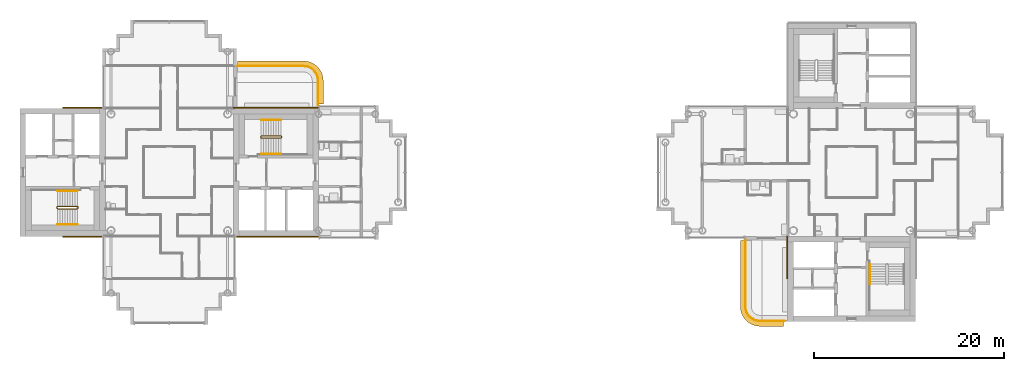
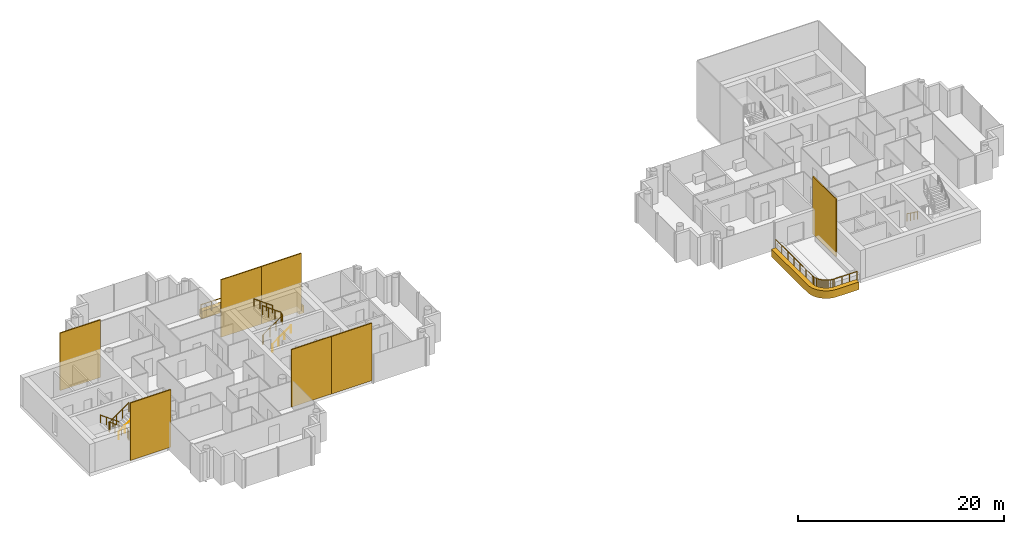
# One storey, part 16 of 18: 9 coverings, 9 railings.
"""IFC4 building model written with IfcOpenShell, lengths in metres."""

import ifcopenshell
import ifcopenshell.guid

model = None  # the IFC model being written
_history = None  # IfcOwnerHistory: only IFC2X3 demands one
_inside = {}  # id of a spatial element -> (the spatial element, [elements in it])
_under = {}  # id of a project, library or spatial element -> (it, [spatial elements below it])
_declared = {}  # id of a project -> (the project, [libraries it declares])
_typed = {}  # id of a type object -> (the type object, [elements of that type])
_made_of = {}  # id of a material, layer set ... -> (it, [elements and type objects made of it])


def new_model(schema):
    """Start an empty IFC model of exactly this schema.

    Asked for "IFC4X3", IfcOpenShell would pick the latest addendum, in which some entities
    have other attributes; the version numbers below select the first issue.
    IFC2X3 requires an IfcOwnerHistory on every rooted entity: one is made here for all.
    """
    global model, _history
    if schema == "IFC4X3":
        model = ifcopenshell.file(schema_version=(4, 3, 0, 0))
    else:
        model = ifcopenshell.file(schema=schema)
    _inside.clear()
    _under.clear()
    _declared.clear()
    _typed.clear()
    _made_of.clear()
    _history = None
    if model.schema == "IFC2X3":
        org = make("IfcOrganization", Name="unknown")
        user = make(
            "IfcPersonAndOrganization",
            ThePerson=make("IfcPerson", FamilyName="unknown"),
            TheOrganization=org,
        )
        app = make(
            "IfcApplication",
            ApplicationDeveloper=org,
            Version="unknown",
            ApplicationFullName="unknown",
            ApplicationIdentifier="unknown",
        )
        _history = make(
            "IfcOwnerHistory",
            OwningUser=user,
            OwningApplication=app,
            ChangeAction="ADDED",
            CreationDate=0,
        )
    return model


def make(cls, **values):
    """One entity of the class cls with the attributes given. An attribute that is None is left unset."""
    return model.create_entity(
        cls, **{name: value for name, value in values.items() if value is not None}
    )


def rooted(cls, **values):
    """An entity with a GlobalId (a new one), such as an element, a storey or a relation."""
    return make(cls, GlobalId=ifcopenshell.guid.new(), OwnerHistory=_history, **values)


def si_unit(unit_type, name, prefix=None):
    """IfcSIUnit, for example si_unit("LENGTHUNIT", "METRE", prefix="MILLI")."""
    return make("IfcSIUnit", UnitType=unit_type, Prefix=prefix, Name=name)


def assignment(units):
    """IfcUnitAssignment: the units of a project."""
    return None if units is None else make("IfcUnitAssignment", Units=units)


def point(xyz):
    """IfcCartesianPoint."""
    return None if xyz is None else make("IfcCartesianPoint", Coordinates=xyz)


def direction(xyz):
    """IfcDirection."""
    return None if xyz is None else make("IfcDirection", DirectionRatios=xyz)


def frame(location, z_axis=None, x_axis=None):
    """IfcAxis2Placement3D, a coordinate frame: its origin and axes. An axis left out is left unset."""
    return make(
        "IfcAxis2Placement3D",
        Location=point(location),
        Axis=direction(z_axis),
        RefDirection=direction(x_axis),
    )


def frame_2d(location, x_axis=None):
    """IfcAxis2Placement2D, a coordinate frame in the plane: its origin and x axis."""
    return make(
        "IfcAxis2Placement2D", Location=point(location), RefDirection=direction(x_axis)
    )


def origin():
    """The frame at (0, 0, 0) with its axes left unset."""
    return frame((0.0, 0.0, 0.0))


def origin_2d():
    """The frame at (0, 0) in the plane with its x axis left unset."""
    return frame_2d((0.0, 0.0))


def place(relative_to, where):
    """IfcLocalPlacement: puts the frame where relative to a parent placement (None: the world)."""
    return make(
        "IfcLocalPlacement", PlacementRelTo=relative_to, RelativePlacement=where
    )


def context(
    kind, dimensions, precision=None, world=None, true_north=None, identifier=None
):
    """IfcGeometricRepresentationContext, for example the 3D "Model" context."""
    return make(
        "IfcGeometricRepresentationContext",
        ContextIdentifier=identifier,
        ContextType=kind,
        CoordinateSpaceDimension=dimensions,
        Precision=precision,
        WorldCoordinateSystem=world,
        TrueNorth=true_north,
    )


def subcontext(parent, identifier, kind, view, scale=None):
    """IfcGeometricRepresentationSubContext, for example "Body" below "Model"."""
    return make(
        "IfcGeometricRepresentationSubContext",
        ContextIdentifier=identifier,
        ContextType=kind,
        ParentContext=parent,
        TargetScale=scale,
        TargetView=view,
    )


def project(units=None, contexts=None):
    """IfcProject with its units and contexts."""
    return rooted(
        "IfcProject",
        Name="project",
        RepresentationContexts=contexts,
        UnitsInContext=assignment(units),
    )


def spatial(cls, under=None, at=None, **own):
    """A site, building, storey or space (cls), placed at a placement, below another one or the project."""
    s = rooted(cls, ObjectPlacement=at, **own)
    if under is not None:
        _under.setdefault(under.id(), (under, []))[1].append(s)
    return s


def polyline(points):
    """IfcPolyline through the points."""
    return make("IfcPolyline", Points=[point(p) for p in points])


def profile(cls, at=None, kind="AREA", **sizes):
    """A parametric profile (cls). Its sizes go by their IFC names, for example OverallWidth=200.0."""
    return make(cls, ProfileType=kind, Position=at, **sizes)


def rectangle(**sizes):
    """IfcRectangleProfileDef."""
    return profile("IfcRectangleProfileDef", **sizes)


def circle(**sizes):
    """IfcCircleProfileDef."""
    return profile("IfcCircleProfileDef", **sizes)


def outline(outer, holes=None, kind="AREA"):
    """IfcArbitraryClosedProfileDef: a profile drawn as a closed curve; with holes, ...WithVoids."""
    if holes is None:
        return make("IfcArbitraryClosedProfileDef", ProfileType=kind, OuterCurve=outer)
    return make(
        "IfcArbitraryProfileDefWithVoids",
        ProfileType=kind,
        OuterCurve=outer,
        InnerCurves=holes,
    )


def extrude(swept, where, along, depth):
    """IfcExtrudedAreaSolid: the profile swept, set in the frame where, extruded along a direction by depth."""
    return make(
        "IfcExtrudedAreaSolid",
        SweptArea=swept,
        Position=where,
        ExtrudedDirection=direction(along),
        Depth=depth,
    )


def shape(context_of_items, identifier, shape_type, items):
    """IfcShapeRepresentation: the items that make up one representation, for example the "Body"."""
    return make(
        "IfcShapeRepresentation",
        ContextOfItems=context_of_items,
        RepresentationIdentifier=identifier,
        RepresentationType=shape_type,
        Items=items,
    )


def material(Name=None, Category=None):
    """IfcMaterial."""
    return make("IfcMaterial", Name=Name, Category=Category)


def layer(
    of_material, thickness, ventilated=None, Name=None, Category=None, Priority=None
):
    """IfcMaterialLayer: one layer of a wall or slab, of a material (None: an air gap)."""
    return make(
        "IfcMaterialLayer",
        Material=of_material,
        LayerThickness=thickness,
        IsVentilated=ventilated,
        Name=Name,
        Category=Category,
        Priority=Priority,
    )


def layer_set(layers, Name=None):
    """IfcMaterialLayerSet."""
    return make("IfcMaterialLayerSet", MaterialLayers=layers, LayerSetName=Name)


def made_of(thing, what):
    """Note that an element or type object is made of a material, layer set ...; save() writes the relation."""
    if what is not None:
        _made_of.setdefault(what.id(), (what, []))[1].append(thing)
    return thing


def type_object(cls, material=None, **own):
    """A type object (cls), such as IfcWallType, which elements share."""
    return made_of(rooted(cls, **own), material)


def element(
    cls,
    number,
    at=None,
    inside=None,
    cuts=None,
    type_object=None,
    material=None,
    context=None,
    identifier="Body",
    shape_type=None,
    held_by="IfcProductDefinitionShape",
    body=None,
    shapes=None,
    **own,
):
    """One element of the class cls, such as IfcWall. Its Tag is "e" and its number.

    at: its placement. inside: the storey or other place that contains it. cuts: it is an
    opening in that element (IfcRelVoidsElement). A single representation is given by context,
    identifier, shape_type and body (its items); several are given by shapes. held_by: the class
    of the entity that holds the representations. save() writes the other relations.
    """
    e = rooted(cls, Tag="e%d" % number, ObjectPlacement=at, **own)
    if body is not None:
        shapes = [shape(context, identifier, shape_type, body)]
    if shapes is not None:
        e.Representation = make(held_by, Representations=shapes)
    if inside is not None:
        _inside.setdefault(inside.id(), (inside, []))[1].append(e)
    if cuts is not None:
        rooted(
            "IfcRelVoidsElement", RelatingBuildingElement=cuts, RelatedOpeningElement=e
        )
    if type_object is not None:
        _typed.setdefault(type_object.id(), (type_object, []))[1].append(e)
    return made_of(e, material)


def aggregate(whole, parts):
    """IfcRelAggregates: a whole, such as a stair, and the parts it consists of."""
    return rooted("IfcRelAggregates", RelatingObject=whole, RelatedObjects=parts)


def save(model, path):
    """Write the relations noted so far, then the file.

    IfcRelAggregates (storeys below a building ...), IfcRelContainedInSpatialStructure (elements
    in a storey), IfcRelDefinesByType, IfcRelAssociatesMaterial and IfcRelDeclares: one each for
    every whole, place, type object, material and project.
    """
    for whole, parts in _under.values():
        aggregate(whole, parts)
    for where, things in _inside.values():
        rooted(
            "IfcRelContainedInSpatialStructure",
            RelatedElements=things,
            RelatingStructure=where,
        )
    for kind, things in _typed.values():
        rooted("IfcRelDefinesByType", RelatedObjects=things, RelatingType=kind)
    for what, things in _made_of.values():
        rooted("IfcRelAssociatesMaterial", RelatedObjects=things, RelatingMaterial=what)
    for by, libraries in _declared.values():
        rooted("IfcRelDeclares", RelatingContext=by, RelatedDefinitions=libraries)
    model.write(path)


model = new_model("IFC4")

# Units and contexts
model_context = context("Model", 3, precision=1e-05, world=origin(), true_north=direction((0.0, 1.0)))
body_context = subcontext(model_context, "Body", "Model", "MODEL_VIEW")
ifc_project = project(units=[si_unit("LENGTHUNIT", "METRE"), si_unit("AREAUNIT", "SQUARE_METRE"), si_unit("VOLUMEUNIT", "CUBIC_METRE"), si_unit("PLANEANGLEUNIT", "RADIAN"), si_unit("MASSUNIT", "GRAM", prefix="KILO")], contexts=[model_context])

# Site, building, storey
site_placement = place(None, origin())
site = spatial("IfcSite", under=ifc_project, at=site_placement, CompositionType="ELEMENT")
building_placement = place(site_placement, origin())
building = spatial("IfcBuilding", under=site, at=building_placement, Name="Ipe Terrace Towers", CompositionType="ELEMENT")
storey_placement = place(building_placement, frame((0.0, 0.0, 206.199951171875)))
storey = spatial("IfcBuildingStorey", under=building, at=storey_placement, Name="L57", CompositionType="ELEMENT", Elevation=206.199951171875)

# Railings
ifc_material_1 = material(Name="Stainless steel S316", Category="steel")
railing_type_1 = type_object("IfcRailingType", Name="GUARD 1100", PredefinedType="BALUSTRADE", material=ifc_material_1)
railing_1_placement = place(storey_placement, frame((-20.300048828125, 7.070068359375, -0.02001953125)))
element("IfcRailing", 1, at=railing_1_placement, inside=storey, type_object=railing_type_1, Name="guard", PredefinedType="BALUSTRADE", context=body_context, shape_type="SweptSolid", body=[
    extrude(circle(Radius=0.02392578125, at=origin_2d()), frame((0.0, 0.0, 1.076171875), z_axis=(0.0, 1.0, 0.0), x_axis=(-1.0, 0.0, 0.0)), (0.0, 0.0, 1.0), 2.577880859375),
    extrude(circle(Radius=0.02392578125, at=origin_2d()), frame((0.0, 2.577880859375, 1.076171875), z_axis=(-0.063270109204, 0.997996439513, 0.0), x_axis=(-0.997996439513, -0.063270109204, 0.0)), (0.0, 0.0, 1.0), 0.20458984375),
    extrude(circle(Radius=0.02392578125, at=origin_2d()), frame((-0.012939453125, 2.781982421875, 1.076171875), z_axis=(-0.197272615832, 0.980348670139, 0.0), x_axis=(-0.980348670139, -0.197272615832, 0.0)), (0.0, 0.0, 1.0), 0.202880859375),
    extrude(circle(Radius=0.02392578125, at=origin_2d()), frame((-0.052978515625, 2.98095703125, 1.076171875), z_axis=(-0.320562904618, 0.947227229435, 0.0), x_axis=(-0.947227229435, -0.320562904618, 0.0)), (0.0, 0.0, 1.0), 0.20263671875),
    extrude(circle(Radius=0.02392578125, at=origin_2d()), frame((-0.117919921875, 3.1728515625, 1.076171875), z_axis=(-0.443364567466, 0.896341374877, 0.0), x_axis=(-0.896341374877, -0.443364567466, 0.0)), (0.0, 0.0, 1.0), 0.203125),
    extrude(circle(Radius=0.02392578125, at=origin_2d()), frame((-0.2080078125, 3.35498046875, 1.076171875), z_axis=(-0.552753344103, 0.833344910936, 0.0), x_axis=(-0.833344910936, -0.552753344103, 0.0)), (0.0, 0.0, 1.0), 0.20263671875),
    extrude(circle(Radius=0.02392578125, at=origin_2d()), frame((-0.320068359375, 3.52392578125, 1.076171875), z_axis=(-0.660464863827, 0.750856952854, 0.0), x_axis=(-0.750856952854, -0.660464863827, 0.0)), (0.0, 0.0, 1.0), 0.20263671875),
    extrude(circle(Radius=0.02392578125, at=origin_2d()), frame((-0.453857421875, 3.676025390625, 1.076171875), z_axis=(-0.750856952854, 0.660464863827, 0.0), x_axis=(-0.660464863827, -0.750856952854, 0.0)), (0.0, 0.0, 1.0), 0.20263671875),
    extrude(circle(Radius=0.02392578125, at=origin_2d()), frame((-0.60595703125, 3.809814453125, 1.076171875), z_axis=(-0.833344910936, 0.552753344103, 0.0), x_axis=(-0.552753344103, -0.833344910936, 0.0)), (0.0, 0.0, 1.0), 0.20263671875),
    extrude(circle(Radius=0.02392578125, at=origin_2d()), frame((-0.77490234375, 3.921875, 1.076171875), z_axis=(-0.896341374877, 0.443364567466, 0.0), x_axis=(-0.443364567466, -0.896341374877, 0.0)), (0.0, 0.0, 1.0), 0.203125),
    extrude(circle(Radius=0.02392578125, at=origin_2d()), frame((-0.95703125, 4.011962890625, 1.076171875), z_axis=(-0.947227229435, 0.320562904618, 0.0), x_axis=(-0.320562904618, -0.947227229435, 0.0)), (0.0, 0.0, 1.0), 0.20263671875),
    extrude(circle(Radius=0.02392578125, at=origin_2d()), frame((-1.14892578125, 4.076904296875, 1.076171875), z_axis=(-0.980348670139, 0.197272615832, 0.0), x_axis=(-0.197272615832, -0.980348670139, 0.0)), (0.0, 0.0, 1.0), 0.202880859375),
    extrude(circle(Radius=0.02392578125, at=origin_2d()), frame((-1.347900390625, 4.116943359375, 1.076171875), z_axis=(-0.997996439513, 0.063270109204, 0.0), x_axis=(-0.063270109204, -0.997996439513, 0.0)), (0.0, 0.0, 1.0), 0.20458984375),
    extrude(circle(Radius=0.02392578125, at=origin_2d()), frame((-1.552001953125, 4.1298828125, 1.076171875), z_axis=(-1.0, 0.0, 0.0), x_axis=(0.0, -1.0, 0.0)), (0.0, 0.0, 1.0), 7.077880859375),
    extrude(circle(Radius=0.02099609375, at=origin_2d()), origin(), (0.0, 0.0, 1.0), 1.052001953125),
    extrude(circle(Radius=0.02099609375, at=origin_2d()), frame((0.0, 0.859375, 0.0)), (0.0, 0.0, 1.0), 1.052001953125),
    extrude(circle(Radius=0.02099609375, at=origin_2d()), frame((0.0, 1.718505859375, 0.0)), (0.0, 0.0, 1.0), 1.052001953125),
    extrude(circle(Radius=0.02099609375, at=origin_2d()), frame((0.0, 2.577880859375, 0.0)), (0.0, 0.0, 1.0), 1.052001953125),
    extrude(circle(Radius=0.02099609375, at=origin_2d()), frame((-0.012939453125, 2.781982421875, 0.0)), (0.0, 0.0, 1.0), 1.052001953125),
    extrude(circle(Radius=0.02099609375, at=origin_2d()), frame((-0.052978515625, 2.98095703125, 0.0)), (0.0, 0.0, 1.0), 1.052001953125),
    extrude(circle(Radius=0.02099609375, at=origin_2d()), frame((-0.117919921875, 3.1728515625, 0.0)), (0.0, 0.0, 1.0), 1.052001953125),
    extrude(circle(Radius=0.02099609375, at=origin_2d()), frame((-0.2080078125, 3.35498046875, 0.0)), (0.0, 0.0, 1.0), 1.052001953125),
    extrude(circle(Radius=0.02099609375, at=origin_2d()), frame((-0.320068359375, 3.52392578125, 0.0)), (0.0, 0.0, 1.0), 1.052001953125),
    extrude(circle(Radius=0.02099609375, at=origin_2d()), frame((-0.453857421875, 3.676025390625, 0.0)), (0.0, 0.0, 1.0), 1.052001953125),
    extrude(circle(Radius=0.02099609375, at=origin_2d()), frame((-0.60595703125, 3.809814453125, 0.0)), (0.0, 0.0, 1.0), 1.052001953125),
    extrude(circle(Radius=0.02099609375, at=origin_2d()), frame((-0.77490234375, 3.921875, 0.0)), (0.0, 0.0, 1.0), 1.052001953125),
    extrude(circle(Radius=0.02099609375, at=origin_2d()), frame((-0.95703125, 4.011962890625, 0.0)), (0.0, 0.0, 1.0), 1.052001953125),
    extrude(circle(Radius=0.02099609375, at=origin_2d()), frame((-1.14892578125, 4.076904296875, 0.0)), (0.0, 0.0, 1.0), 1.052001953125),
    extrude(circle(Radius=0.02099609375, at=origin_2d()), frame((-1.347900390625, 4.116943359375, 0.0)), (0.0, 0.0, 1.0), 1.052001953125),
    extrude(circle(Radius=0.02099609375, at=origin_2d()), frame((-1.552001953125, 4.1298828125, 0.0)), (0.0, 0.0, 1.0), 1.052001953125),
    extrude(circle(Radius=0.02099609375, at=origin_2d()), frame((-2.731689453125, 4.1298828125, 0.0)), (0.0, 0.0, 1.0), 1.052001953125),
    extrude(circle(Radius=0.02099609375, at=origin_2d()), frame((-3.911376953125, 4.1298828125, 0.0)), (0.0, 0.0, 1.0), 1.052001953125),
    extrude(circle(Radius=0.02099609375, at=origin_2d()), frame((-5.0908203125, 4.1298828125, 0.0)), (0.0, 0.0, 1.0), 1.052001953125),
    extrude(circle(Radius=0.02099609375, at=origin_2d()), frame((-6.2705078125, 4.1298828125, 0.0)), (0.0, 0.0, 1.0), 1.052001953125),
    extrude(circle(Radius=0.02099609375, at=origin_2d()), frame((-7.4501953125, 4.1298828125, 0.0)), (0.0, 0.0, 1.0), 1.052001953125),
    extrude(circle(Radius=0.02099609375, at=origin_2d()), frame((-8.6298828125, 4.1298828125, 0.0)), (0.0, 0.0, 1.0), 1.052001953125),
])
railing_2_placement = place(storey_placement, frame((24.800048828125, -7.070068359375, -0.02001953125)))
element("IfcRailing", 2, at=railing_2_placement, inside=storey, type_object=railing_type_1, Name="guard", PredefinedType="BALUSTRADE", context=body_context, shape_type="SweptSolid", body=[
    extrude(circle(Radius=0.02392578125, at=origin_2d()), frame((0.0, 0.0, 1.076171875), z_axis=(0.0, -1.0, 0.0), x_axis=(1.0, 0.0, 0.0)), (0.0, 0.0, 1.0), 7.077880859375),
    extrude(circle(Radius=0.02392578125, at=origin_2d()), frame((0.0, -7.077880859375, 1.076171875), z_axis=(0.063270109204, -0.997996439513, 0.0), x_axis=(0.997996439513, 0.063270109204, 0.0)), (0.0, 0.0, 1.0), 0.20458984375),
    extrude(circle(Radius=0.02392578125, at=origin_2d()), frame((0.012939453125, -7.281982421875, 1.076171875), z_axis=(0.197272615832, -0.980348670139, 0.0), x_axis=(0.980348670139, 0.197272615832, 0.0)), (0.0, 0.0, 1.0), 0.202880859375),
    extrude(circle(Radius=0.02392578125, at=origin_2d()), frame((0.052978515625, -7.48095703125, 1.076171875), z_axis=(0.320562904618, -0.947227229435, 0.0), x_axis=(0.947227229435, 0.320562904618, 0.0)), (0.0, 0.0, 1.0), 0.20263671875),
    extrude(circle(Radius=0.02392578125, at=origin_2d()), frame((0.117919921875, -7.6728515625, 1.076171875), z_axis=(0.443364567466, -0.896341374877, 0.0), x_axis=(0.896341374877, 0.443364567466, 0.0)), (0.0, 0.0, 1.0), 0.203125),
    extrude(circle(Radius=0.02392578125, at=origin_2d()), frame((0.2080078125, -7.85498046875, 1.076171875), z_axis=(0.552753344103, -0.833344910936, 0.0), x_axis=(0.833344910936, 0.552753344103, 0.0)), (0.0, 0.0, 1.0), 0.20263671875),
    extrude(circle(Radius=0.02392578125, at=origin_2d()), frame((0.320068359375, -8.02392578125, 1.076171875), z_axis=(0.660464863827, -0.750856952854, 0.0), x_axis=(0.750856952854, 0.660464863827, 0.0)), (0.0, 0.0, 1.0), 0.20263671875),
    extrude(circle(Radius=0.02392578125, at=origin_2d()), frame((0.453857421875, -8.176025390625, 1.076171875), z_axis=(0.750856952854, -0.660464863827, 0.0), x_axis=(0.660464863827, 0.750856952854, 0.0)), (0.0, 0.0, 1.0), 0.20263671875),
    extrude(circle(Radius=0.02392578125, at=origin_2d()), frame((0.60595703125, -8.309814453125, 1.076171875), z_axis=(0.833344910936, -0.552753344103, 0.0), x_axis=(0.552753344103, 0.833344910936, 0.0)), (0.0, 0.0, 1.0), 0.20263671875),
    extrude(circle(Radius=0.02392578125, at=origin_2d()), frame((0.77490234375, -8.421875, 1.076171875), z_axis=(0.896341374877, -0.443364567466, 0.0), x_axis=(0.443364567466, 0.896341374877, 0.0)), (0.0, 0.0, 1.0), 0.203125),
    extrude(circle(Radius=0.02392578125, at=origin_2d()), frame((0.95703125, -8.511962890625, 1.076171875), z_axis=(0.947227229435, -0.320562904618, 0.0), x_axis=(0.320562904618, 0.947227229435, 0.0)), (0.0, 0.0, 1.0), 0.20263671875),
    extrude(circle(Radius=0.02392578125, at=origin_2d()), frame((1.14892578125, -8.576904296875, 1.076171875), z_axis=(0.980348670139, -0.197272615832, 0.0), x_axis=(0.197272615832, 0.980348670139, 0.0)), (0.0, 0.0, 1.0), 0.202880859375),
    extrude(circle(Radius=0.02392578125, at=origin_2d()), frame((1.347900390625, -8.616943359375, 1.076171875), z_axis=(0.997996439513, -0.063270109204, 0.0), x_axis=(0.063270109204, 0.997996439513, 0.0)), (0.0, 0.0, 1.0), 0.20458984375),
    extrude(circle(Radius=0.02392578125, at=origin_2d()), frame((1.552001953125, -8.6298828125, 1.076171875), z_axis=(1.0, 0.0, 0.0), x_axis=(0.0, 1.0, 0.0)), (0.0, 0.0, 1.0), 2.577880859375),
    extrude(circle(Radius=0.02099609375, at=origin_2d()), origin(), (0.0, 0.0, 1.0), 1.052001953125),
    extrude(circle(Radius=0.02099609375, at=origin_2d()), frame((0.0, -1.1796875, 0.0)), (0.0, 0.0, 1.0), 1.052001953125),
    extrude(circle(Radius=0.02099609375, at=origin_2d()), frame((0.0, -2.359375, 0.0)), (0.0, 0.0, 1.0), 1.052001953125),
    extrude(circle(Radius=0.02099609375, at=origin_2d()), frame((0.0, -3.5390625, 0.0)), (0.0, 0.0, 1.0), 1.052001953125),
    extrude(circle(Radius=0.02099609375, at=origin_2d()), frame((0.0, -4.718505859375, 0.0)), (0.0, 0.0, 1.0), 1.052001953125),
    extrude(circle(Radius=0.02099609375, at=origin_2d()), frame((0.0, -5.898193359375, 0.0)), (0.0, 0.0, 1.0), 1.052001953125),
    extrude(circle(Radius=0.02099609375, at=origin_2d()), frame((0.0, -7.077880859375, 0.0)), (0.0, 0.0, 1.0), 1.052001953125),
    extrude(circle(Radius=0.02099609375, at=origin_2d()), frame((0.012939453125, -7.281982421875, 0.0)), (0.0, 0.0, 1.0), 1.052001953125),
    extrude(circle(Radius=0.02099609375, at=origin_2d()), frame((0.052978515625, -7.48095703125, 0.0)), (0.0, 0.0, 1.0), 1.052001953125),
    extrude(circle(Radius=0.02099609375, at=origin_2d()), frame((0.117919921875, -7.6728515625, 0.0)), (0.0, 0.0, 1.0), 1.052001953125),
    extrude(circle(Radius=0.02099609375, at=origin_2d()), frame((0.2080078125, -7.85498046875, 0.0)), (0.0, 0.0, 1.0), 1.052001953125),
    extrude(circle(Radius=0.02099609375, at=origin_2d()), frame((0.320068359375, -8.02392578125, 0.0)), (0.0, 0.0, 1.0), 1.052001953125),
    extrude(circle(Radius=0.02099609375, at=origin_2d()), frame((0.453857421875, -8.176025390625, 0.0)), (0.0, 0.0, 1.0), 1.052001953125),
    extrude(circle(Radius=0.02099609375, at=origin_2d()), frame((0.60595703125, -8.309814453125, 0.0)), (0.0, 0.0, 1.0), 1.052001953125),
    extrude(circle(Radius=0.02099609375, at=origin_2d()), frame((0.77490234375, -8.421875, 0.0)), (0.0, 0.0, 1.0), 1.052001953125),
    extrude(circle(Radius=0.02099609375, at=origin_2d()), frame((0.95703125, -8.511962890625, 0.0)), (0.0, 0.0, 1.0), 1.052001953125),
    extrude(circle(Radius=0.02099609375, at=origin_2d()), frame((1.14892578125, -8.576904296875, 0.0)), (0.0, 0.0, 1.0), 1.052001953125),
    extrude(circle(Radius=0.02099609375, at=origin_2d()), frame((1.347900390625, -8.616943359375, 0.0)), (0.0, 0.0, 1.0), 1.052001953125),
    extrude(circle(Radius=0.02099609375, at=origin_2d()), frame((1.552001953125, -8.6298828125, 0.0)), (0.0, 0.0, 1.0), 1.052001953125),
    extrude(circle(Radius=0.02099609375, at=origin_2d()), frame((2.411376953125, -8.6298828125, 0.0)), (0.0, 0.0, 1.0), 1.052001953125),
    extrude(circle(Radius=0.02099609375, at=origin_2d()), frame((3.2705078125, -8.6298828125, 0.0)), (0.0, 0.0, 1.0), 1.052001953125),
    extrude(circle(Radius=0.02099609375, at=origin_2d()), frame((4.1298828125, -8.6298828125, 0.0)), (0.0, 0.0, 1.0), 1.052001953125),
])

# Coverings
ifc_material_2 = material(Name="Concrete C50/60 precast, buff finish", Category="concrete")
ifc_layer_1 = layer(ifc_material_2, 0.1201171875)
ifc_layer_set_1 = layer_set([ifc_layer_1], Name="STONE CORE CLADDING 120")
covering_type_1 = type_object("IfcCoveringType", Name="STONE CORE CLADDING 120", PredefinedType="CLADDING", material=ifc_layer_set_1)
for number, where, z_axis, x_axis, name in (
    (3, (-45.0, -6.81005859375, 0.0), (0.0, 0.0, 1.0), (1.0, 0.0, 0.0), "stone core cladding"),
    (4, (-45.0, 6.81005859375, 0.0), (0.0, 0.0, 1.0), (-1.0, 0.0, 0.0), "stone core cladding"),
    (5, (-27.0, -6.81005859375, 0.0), (0.0, 0.0, 1.0), (1.0, 0.0, 0.0), "stone core cladding"),
):
    element("IfcCovering", number, at=place(storey_placement, frame(where, z_axis=z_axis, x_axis=x_axis)), inside=storey, type_object=covering_type_1, Name=name, PredefinedType="CLADDING", context=body_context, shape_type="SweptSolid", body=[
        extrude(rectangle(XDim=4.5, YDim=0.1201171875, at=origin_2d()), origin(), (0.0, 0.0, 1.0), 6.800048828125),
    ])
covering_1_placement = place(storey_placement, frame((-22.4990234375, -6.81005859375, 0.0), z_axis=(0.0, 0.0, 1.0), x_axis=(1.0, 0.0, 0.0)))
element("IfcCovering", 6, at=covering_1_placement, inside=storey, type_object=covering_type_1, Name="stone core cladding", PredefinedType="CLADDING", context=body_context, shape_type="SweptSolid", body=[
    extrude(rectangle(XDim=4.5009765625, YDim=0.1201171875, at=origin_2d()), origin(), (0.0, 0.0, 1.0), 6.800048828125),
])
covering_2_placement = place(storey_placement, frame((-27.0, 6.81005859375, 0.0), z_axis=(0.0, 0.0, 1.0), x_axis=(-1.0, 0.0, 0.0)))
element("IfcCovering", 7, at=covering_2_placement, inside=storey, type_object=covering_type_1, Name="stone core cladding", PredefinedType="CLADDING", context=body_context, shape_type="SweptSolid", body=[
    extrude(rectangle(XDim=4.5, YDim=0.1201171875, at=origin_2d()), origin(), (0.0, 0.0, 1.0), 6.800048828125),
])
covering_3_placement = place(storey_placement, frame((-22.4990234375, 6.81005859375, 0.0), z_axis=(0.0, 0.0, 1.0), x_axis=(-1.0, 0.0, 0.0)))
element("IfcCovering", 8, at=covering_3_placement, inside=storey, type_object=covering_type_1, Name="stone core cladding", PredefinedType="CLADDING", context=body_context, shape_type="SweptSolid", body=[
    extrude(rectangle(XDim=4.5009765625, YDim=0.1201171875, at=origin_2d()), origin(), (0.0, 0.0, 1.0), 6.800048828125),
])
covering_4_placement = place(storey_placement, frame((29.18994140625, -9.0, 0.0), z_axis=(0.0, 0.0, 1.0), x_axis=(0.0, -1.0, 0.0)))
element("IfcCovering", 9, at=covering_4_placement, inside=storey, type_object=covering_type_1, Name="stone core cladding", PredefinedType="CLADDING", context=body_context, shape_type="SweptSolid", body=[
    extrude(rectangle(XDim=4.5, YDim=0.1201171875, at=origin_2d()), origin(), (0.0, 0.0, 1.0), 6.800048828125),
])
ifc_material_3 = material(Name="Concrete C50/60 precast, buff finish", Category="concrete")
ifc_layer_2 = layer(ifc_material_3, 0.5)
ifc_layer_set_2 = layer_set([ifc_layer_2], Name="STONE EDGE BAND 500 x 900")
covering_type_2 = type_object("IfcCoveringType", Name="STONE EDGE BAND 500 x 900", PredefinedType="CLADDING", material=ifc_layer_set_2)
covering_5_placement = place(storey_placement, frame((0.0, 0.0, -0.719970703125)))
element("IfcCovering", 10, at=covering_5_placement, inside=storey, type_object=covering_type_2, Name="stone edge band", PredefinedType="CLADDING", context=body_context, shape_type="SweptSolid", body=[
    extrude(outline(polyline([(-21.85009765625, 11.75), (-28.800048828125, 11.75), (-28.800048828125, 11.25), (-21.85009765625, 11.25), (-21.64111328125, 11.236083984375), (-21.43603515625, 11.195068359375), (-21.238037109375, 11.1279296875), (-21.050048828125, 11.035888671875), (-20.8759765625, 10.9189453125), (-20.718994140625, 10.781005859375), (-20.5810546875, 10.6240234375), (-20.464111328125, 10.449951171875), (-20.3720703125, 10.261962890625), (-20.304931640625, 10.06396484375), (-20.263916015625, 9.85888671875), (-20.25, 9.64990234375), (-20.25, 7.199951171875), (-19.75, 7.199951171875), (-19.75, 9.64990234375), (-19.7509765625, 9.68310546875), (-19.764892578125, 9.89208984375), (-19.77294921875, 9.9560546875), (-19.81396484375, 10.162109375), (-19.8310546875, 10.22509765625), (-19.89794921875, 10.423095703125), (-19.923095703125, 10.48291015625), (-20.01611328125, 10.6708984375), (-20.049072265625, 10.72802734375), (-20.1650390625, 10.902099609375), (-20.205078125, 10.9541015625), (-20.343017578125, 11.111083984375), (-20.388916015625, 11.156982421875), (-20.5458984375, 11.294921875), (-20.597900390625, 11.3349609375), (-20.77197265625, 11.450927734375), (-20.8291015625, 11.48388671875), (-21.01708984375, 11.576904296875), (-21.076904296875, 11.60205078125), (-21.27490234375, 11.6689453125), (-21.337890625, 11.68603515625), (-21.5439453125, 11.72705078125), (-21.60791015625, 11.735107421875), (-21.81689453125, 11.7490234375), (-21.85009765625, 11.75)])), origin(), (0.0, 0.0, 1.0), 0.89990234375),
])
covering_6_placement = place(storey_placement, frame((0.0, 0.0, -0.719970703125)))
element("IfcCovering", 11, at=covering_6_placement, inside=storey, type_object=covering_type_2, Name="stone edge band", PredefinedType="CLADDING", context=body_context, shape_type="SweptSolid", body=[
    extrude(outline(polyline([(24.25, -14.14990234375), (24.2509765625, -14.18310546875), (24.264892578125, -14.39208984375), (24.27294921875, -14.4560546875), (24.31396484375, -14.662109375), (24.3310546875, -14.72509765625), (24.39794921875, -14.923095703125), (24.423095703125, -14.98291015625), (24.51611328125, -15.1708984375), (24.549072265625, -15.22802734375), (24.6650390625, -15.402099609375), (24.705078125, -15.4541015625), (24.843017578125, -15.611083984375), (24.888916015625, -15.656982421875), (25.0458984375, -15.794921875), (25.097900390625, -15.8349609375), (25.27197265625, -15.950927734375), (25.3291015625, -15.98388671875), (25.51708984375, -16.076904296875), (25.576904296875, -16.10205078125), (25.77490234375, -16.1689453125), (25.837890625, -16.18603515625), (26.0439453125, -16.22705078125), (26.10791015625, -16.235107421875), (26.31689453125, -16.2490234375), (26.35009765625, -16.25), (28.800048828125, -16.25), (28.800048828125, -15.75), (26.35009765625, -15.75), (26.14111328125, -15.736083984375), (25.93603515625, -15.695068359375), (25.738037109375, -15.6279296875), (25.550048828125, -15.535888671875), (25.3759765625, -15.4189453125), (25.218994140625, -15.281005859375), (25.0810546875, -15.1240234375), (24.964111328125, -14.949951171875), (24.8720703125, -14.761962890625), (24.804931640625, -14.56396484375), (24.763916015625, -14.35888671875), (24.75, -14.14990234375), (24.75, -7.199951171875), (24.25, -7.199951171875), (24.25, -14.14990234375)])), origin(), (0.0, 0.0, 1.0), 0.89990234375),
])

# Railings
ifc_material_4 = material(Name="Steel S355", Category="steel")
railing_type_2 = type_object("IfcRailingType", Name="Stair guard 1100", PredefinedType="GUARDRAIL", material=ifc_material_4)
railing_3_placement = place(storey_placement, frame((-26.35009765625, 3.800048828125, 0.0)))
element("IfcRailing", 12, at=railing_3_placement, inside=storey, type_object=railing_type_2, Name="L57 T1-ST1 stair guard 1", PredefinedType="GUARDRAIL", context=body_context, shape_type="SweptSolid", body=[
    extrude(circle(Radius=0.02392578125, at=origin_2d()), frame((0.0, 0.0, 1.076171875), z_axis=(0.0, -1.0, 0.0), x_axis=(1.0, 0.0, 0.0)), (0.0, 0.0, 1.0), 0.150146484375),
    extrude(circle(Radius=0.02392578125, at=origin_2d()), frame((0.0, -0.150146484375, 1.076171875), z_axis=(0.248103849378, -0.246893586699, 0.936743314239), x_axis=(0.705375805398, 0.708833529934, 0.0)), (0.0, 0.0, 1.0), 0.20166015625),
    extrude(circle(Radius=0.02392578125, at=origin_2d()), frame((0.050048828125, -0.199951171875, 1.26513671875), z_axis=(0.809068575486, 0.0, 0.587714250432), x_axis=(0.0, 1.0, 0.0)), (0.0, 0.0, 1.0), 2.571044921875),
    extrude(circle(Radius=0.02392578125, at=origin_2d()), frame((2.130126953125, -0.199951171875, 2.77587890625), z_axis=(0.708833529934, 0.705375805398, 0.0), x_axis=(-0.705375805398, 0.708833529934, 0.0)), (0.0, 0.0, 1.0), 0.070556640625),
    extrude(circle(Radius=0.02392578125, at=origin_2d()), frame((2.18017578125, -0.150146484375, 2.77587890625), z_axis=(0.0, 1.0, 0.0), x_axis=(-1.0, 0.0, 0.0)), (0.0, 0.0, 1.0), 0.150146484375),
    extrude(circle(Radius=0.02392578125, at=origin_2d()), frame((2.18017578125, 0.0, 2.77587890625), z_axis=(-0.248029566107, 0.248029566107, 0.936462849596), x_axis=(-0.707106781187, -0.707106781187, 0.0)), (0.0, 0.0, 1.0), 0.201904296875),
    extrude(circle(Radius=0.02392578125, at=origin_2d()), frame((2.130126953125, 0.050048828125, 2.96484375), z_axis=(-0.809023421508, 0.0, 0.587776406001), x_axis=(0.0, -1.0, 0.0)), (0.0, 0.0, 1.0), 2.571044921875),
    extrude(circle(Radius=0.02099609375, at=origin_2d()), origin(), (0.0, 0.0, 1.0), 1.052001953125),
    extrude(circle(Radius=0.02099609375, at=origin_2d()), frame((0.0, -0.150146484375, 0.0)), (0.0, 0.0, 1.0), 1.052001953125),
    extrude(circle(Radius=0.02099609375, at=origin_2d()), frame((0.050048828125, -0.199951171875, 0.18896484375)), (0.0, 0.0, 1.0), 1.052001953125),
    extrude(circle(Radius=0.02099609375, at=origin_2d()), frame((0.743408203125, -0.199951171875, 0.692626953125)), (0.0, 0.0, 1.0), 1.052001953125),
    extrude(circle(Radius=0.02099609375, at=origin_2d()), frame((1.436767578125, -0.199951171875, 1.1962890625)), (0.0, 0.0, 1.0), 1.052001953125),
    extrude(circle(Radius=0.02099609375, at=origin_2d()), frame((2.130126953125, -0.199951171875, 1.699951171875)), (0.0, 0.0, 1.0), 1.052001953125),
    extrude(circle(Radius=0.02099609375, at=origin_2d()), frame((2.18017578125, -0.150146484375, 1.699951171875)), (0.0, 0.0, 1.0), 1.052001953125),
    extrude(circle(Radius=0.02099609375, at=origin_2d()), frame((2.18017578125, 0.0, 1.699951171875)), (0.0, 0.0, 1.0), 1.052001953125),
    extrude(circle(Radius=0.02099609375, at=origin_2d()), frame((2.130126953125, 0.050048828125, 1.888916015625)), (0.0, 0.0, 1.0), 1.052001953125),
    extrude(circle(Radius=0.02099609375, at=origin_2d()), frame((1.436767578125, 0.050048828125, 2.392578125)), (0.0, 0.0, 1.0), 1.052001953125),
    extrude(circle(Radius=0.02099609375, at=origin_2d()), frame((0.743408203125, 0.050048828125, 2.896484375)), (0.0, 0.0, 1.0), 1.052001953125),
    extrude(circle(Radius=0.02099609375, at=origin_2d()), frame((0.050048828125, 0.050048828125, 3.400146484375)), (0.0, 0.0, 1.0), 1.052001953125),
])
railing_4_placement = place(storey_placement, frame((-45.64990234375, -3.800048828125, 0.0)))
element("IfcRailing", 13, at=railing_4_placement, inside=storey, type_object=railing_type_2, Name="L57 T1-ST2 stair guard 1", PredefinedType="GUARDRAIL", context=body_context, shape_type="SweptSolid", body=[
    extrude(circle(Radius=0.02392578125, at=origin_2d()), frame((0.0, 0.0, 1.076171875), z_axis=(0.0, 1.0, 0.0), x_axis=(-1.0, 0.0, 0.0)), (0.0, 0.0, 1.0), 0.150146484375),
    extrude(circle(Radius=0.02392578125, at=origin_2d()), frame((0.0, 0.150146484375, 1.076171875), z_axis=(-0.248103849378, 0.246893586699, 0.936743314239), x_axis=(-0.705375805398, -0.708833529934, 0.0)), (0.0, 0.0, 1.0), 0.20166015625),
    extrude(circle(Radius=0.02392578125, at=origin_2d()), frame((-0.050048828125, 0.199951171875, 1.26513671875), z_axis=(-0.809068575486, 0.0, 0.587714250432), x_axis=(0.0, -1.0, 0.0)), (0.0, 0.0, 1.0), 2.571044921875),
    extrude(circle(Radius=0.02392578125, at=origin_2d()), frame((-2.130126953125, 0.199951171875, 2.77587890625), z_axis=(-0.708833529934, -0.705375805398, 0.0), x_axis=(0.705375805398, -0.708833529934, 0.0)), (0.0, 0.0, 1.0), 0.070556640625),
    extrude(circle(Radius=0.02392578125, at=origin_2d()), frame((-2.18017578125, 0.150146484375, 2.77587890625), z_axis=(0.0, -1.0, 0.0), x_axis=(1.0, 0.0, 0.0)), (0.0, 0.0, 1.0), 0.150146484375),
    extrude(circle(Radius=0.02392578125, at=origin_2d()), frame((-2.18017578125, 0.0, 2.77587890625), z_axis=(0.248029566107, -0.248029566107, 0.936462849596), x_axis=(0.707106781187, 0.707106781187, 0.0)), (0.0, 0.0, 1.0), 0.201904296875),
    extrude(circle(Radius=0.02392578125, at=origin_2d()), frame((-2.130126953125, -0.050048828125, 2.96484375), z_axis=(0.809023421508, 0.0, 0.587776406001), x_axis=(0.0, 1.0, 0.0)), (0.0, 0.0, 1.0), 2.571044921875),
    extrude(circle(Radius=0.02099609375, at=origin_2d()), origin(), (0.0, 0.0, 1.0), 1.052001953125),
    extrude(circle(Radius=0.02099609375, at=origin_2d()), frame((0.0, 0.150146484375, 0.0)), (0.0, 0.0, 1.0), 1.052001953125),
    extrude(circle(Radius=0.02099609375, at=origin_2d()), frame((-0.050048828125, 0.199951171875, 0.18896484375)), (0.0, 0.0, 1.0), 1.052001953125),
    extrude(circle(Radius=0.02099609375, at=origin_2d()), frame((-0.743408203125, 0.199951171875, 0.692626953125)), (0.0, 0.0, 1.0), 1.052001953125),
    extrude(circle(Radius=0.02099609375, at=origin_2d()), frame((-1.436767578125, 0.199951171875, 1.1962890625)), (0.0, 0.0, 1.0), 1.052001953125),
    extrude(circle(Radius=0.02099609375, at=origin_2d()), frame((-2.130126953125, 0.199951171875, 1.699951171875)), (0.0, 0.0, 1.0), 1.052001953125),
    extrude(circle(Radius=0.02099609375, at=origin_2d()), frame((-2.18017578125, 0.150146484375, 1.699951171875)), (0.0, 0.0, 1.0), 1.052001953125),
    extrude(circle(Radius=0.02099609375, at=origin_2d()), frame((-2.18017578125, 0.0, 1.699951171875)), (0.0, 0.0, 1.0), 1.052001953125),
    extrude(circle(Radius=0.02099609375, at=origin_2d()), frame((-2.130126953125, -0.050048828125, 1.888916015625)), (0.0, 0.0, 1.0), 1.052001953125),
    extrude(circle(Radius=0.02099609375, at=origin_2d()), frame((-1.436767578125, -0.050048828125, 2.392578125)), (0.0, 0.0, 1.0), 1.052001953125),
    extrude(circle(Radius=0.02099609375, at=origin_2d()), frame((-0.743408203125, -0.050048828125, 2.896484375)), (0.0, 0.0, 1.0), 1.052001953125),
    extrude(circle(Radius=0.02099609375, at=origin_2d()), frame((-0.050048828125, -0.050048828125, 3.400146484375)), (0.0, 0.0, 1.0), 1.052001953125),
])
ifc_material_5 = material(Name="Stainless steel grade 304", Category="steel")
railing_type_3 = type_object("IfcRailingType", Name="Stair handrail 900", PredefinedType="HANDRAIL", material=ifc_material_5)
railing_5_placement = place(storey_placement, frame((-26.300048828125, 1.949951171875, 0.18896484375)))
element("IfcRailing", 14, at=railing_5_placement, inside=storey, type_object=railing_type_3, Name="L57 T1-ST1 stair handrail 1", PredefinedType="HANDRAIL", context=body_context, shape_type="SweptSolid", body=[
    extrude(circle(Radius=0.02392578125, at=origin_2d()), frame((0.0, 0.0, 0.8759765625), z_axis=(0.809068575486, 0.0, 0.587714250432), x_axis=(0.0, 1.0, 0.0)), (0.0, 0.0, 1.0), 2.571044921875),
    extrude(circle(Radius=0.02099609375, at=origin_2d()), origin(), (0.0, 0.0, 1.0), 0.851806640625),
    extrude(circle(Radius=0.02099609375, at=origin_2d()), frame((0.693359375, 0.0, 0.503662109375)), (0.0, 0.0, 1.0), 0.851806640625),
    extrude(circle(Radius=0.02099609375, at=origin_2d()), frame((1.38671875, 0.0, 1.00732421875)), (0.0, 0.0, 1.0), 0.851806640625),
    extrude(circle(Radius=0.02099609375, at=origin_2d()), frame((2.080078125, 0.0, 1.510986328125)), (0.0, 0.0, 1.0), 0.851806640625),
])
railing_6_placement = place(storey_placement, frame((-24.219970703125, 5.5, 1.888916015625)))
element("IfcRailing", 15, at=railing_6_placement, inside=storey, type_object=railing_type_3, Name="L57 T1-ST1 stair handrail 2", PredefinedType="HANDRAIL", context=body_context, shape_type="SweptSolid", body=[
    extrude(circle(Radius=0.02392578125, at=origin_2d()), frame((0.0, 0.0, 0.8759765625), z_axis=(-0.809023421508, 0.0, 0.587776406001), x_axis=(0.0, -1.0, 0.0)), (0.0, 0.0, 1.0), 2.571044921875),
    extrude(circle(Radius=0.02099609375, at=origin_2d()), origin(), (0.0, 0.0, 1.0), 0.851806640625),
    extrude(circle(Radius=0.02099609375, at=origin_2d()), frame((-0.693359375, 0.0, 0.503662109375)), (0.0, 0.0, 1.0), 0.851806640625),
    extrude(circle(Radius=0.02099609375, at=origin_2d()), frame((-1.38671875, 0.0, 1.007568359375)), (0.0, 0.0, 1.0), 0.851806640625),
    extrude(circle(Radius=0.02099609375, at=origin_2d()), frame((-2.080078125, 0.0, 1.51123046875)), (0.0, 0.0, 1.0), 0.851806640625),
])
railing_7_placement = place(storey_placement, frame((-45.699951171875, -1.949951171875, 0.18896484375)))
element("IfcRailing", 16, at=railing_7_placement, inside=storey, type_object=railing_type_3, Name="L57 T1-ST2 stair handrail 1", PredefinedType="HANDRAIL", context=body_context, shape_type="SweptSolid", body=[
    extrude(circle(Radius=0.02392578125, at=origin_2d()), frame((0.0, 0.0, 0.8759765625), z_axis=(-0.809068575486, 0.0, 0.587714250432), x_axis=(0.0, -1.0, 0.0)), (0.0, 0.0, 1.0), 2.571044921875),
    extrude(circle(Radius=0.02099609375, at=origin_2d()), origin(), (0.0, 0.0, 1.0), 0.851806640625),
    extrude(circle(Radius=0.02099609375, at=origin_2d()), frame((-0.693359375, 0.0, 0.503662109375)), (0.0, 0.0, 1.0), 0.851806640625),
    extrude(circle(Radius=0.02099609375, at=origin_2d()), frame((-1.38671875, 0.0, 1.00732421875)), (0.0, 0.0, 1.0), 0.851806640625),
    extrude(circle(Radius=0.02099609375, at=origin_2d()), frame((-2.080078125, 0.0, 1.510986328125)), (0.0, 0.0, 1.0), 0.851806640625),
])
railing_8_placement = place(storey_placement, frame((-47.780029296875, -5.5, 1.888916015625)))
element("IfcRailing", 17, at=railing_8_placement, inside=storey, type_object=railing_type_3, Name="L57 T1-ST2 stair handrail 2", PredefinedType="HANDRAIL", context=body_context, shape_type="SweptSolid", body=[
    extrude(circle(Radius=0.02392578125, at=origin_2d()), frame((0.0, 0.0, 0.8759765625), z_axis=(0.809023421508, 0.0, 0.587776406001), x_axis=(0.0, 1.0, 0.0)), (0.0, 0.0, 1.0), 2.571044921875),
    extrude(circle(Radius=0.02099609375, at=origin_2d()), origin(), (0.0, 0.0, 1.0), 0.851806640625),
    extrude(circle(Radius=0.02099609375, at=origin_2d()), frame((0.693359375, 0.0, 0.503662109375)), (0.0, 0.0, 1.0), 0.851806640625),
    extrude(circle(Radius=0.02099609375, at=origin_2d()), frame((1.38671875, 0.0, 1.007568359375)), (0.0, 0.0, 1.0), 0.851806640625),
    extrude(circle(Radius=0.02099609375, at=origin_2d()), frame((2.080078125, 0.0, 1.51123046875)), (0.0, 0.0, 1.0), 0.851806640625),
])
railing_9_placement = place(storey_placement, frame((37.949951171875, -9.699951171875, 0.18896484375)))
element("IfcRailing", 18, at=railing_9_placement, inside=storey, type_object=railing_type_3, Name="L57 T2-ST2 stair handrail 1", PredefinedType="HANDRAIL", context=body_context, shape_type="SweptSolid", body=[
    extrude(circle(Radius=0.02392578125, at=origin_2d()), frame((0.0, 0.0, 0.8759765625), z_axis=(0.0, -0.809068575486, 0.587714250432), x_axis=(1.0, 0.0, 0.0)), (0.0, 0.0, 1.0), 2.571044921875),
    extrude(circle(Radius=0.02099609375, at=origin_2d()), origin(), (0.0, 0.0, 1.0), 0.851806640625),
    extrude(circle(Radius=0.02099609375, at=origin_2d()), frame((0.0, -0.693359375, 0.503662109375)), (0.0, 0.0, 1.0), 0.851806640625),
    extrude(circle(Radius=0.02099609375, at=origin_2d()), frame((0.0, -1.38671875, 1.00732421875)), (0.0, 0.0, 1.0), 0.851806640625),
    extrude(circle(Radius=0.02099609375, at=origin_2d()), frame((0.0, -2.080078125, 1.510986328125)), (0.0, 0.0, 1.0), 0.851806640625),
])

save(model, "model.ifc")
